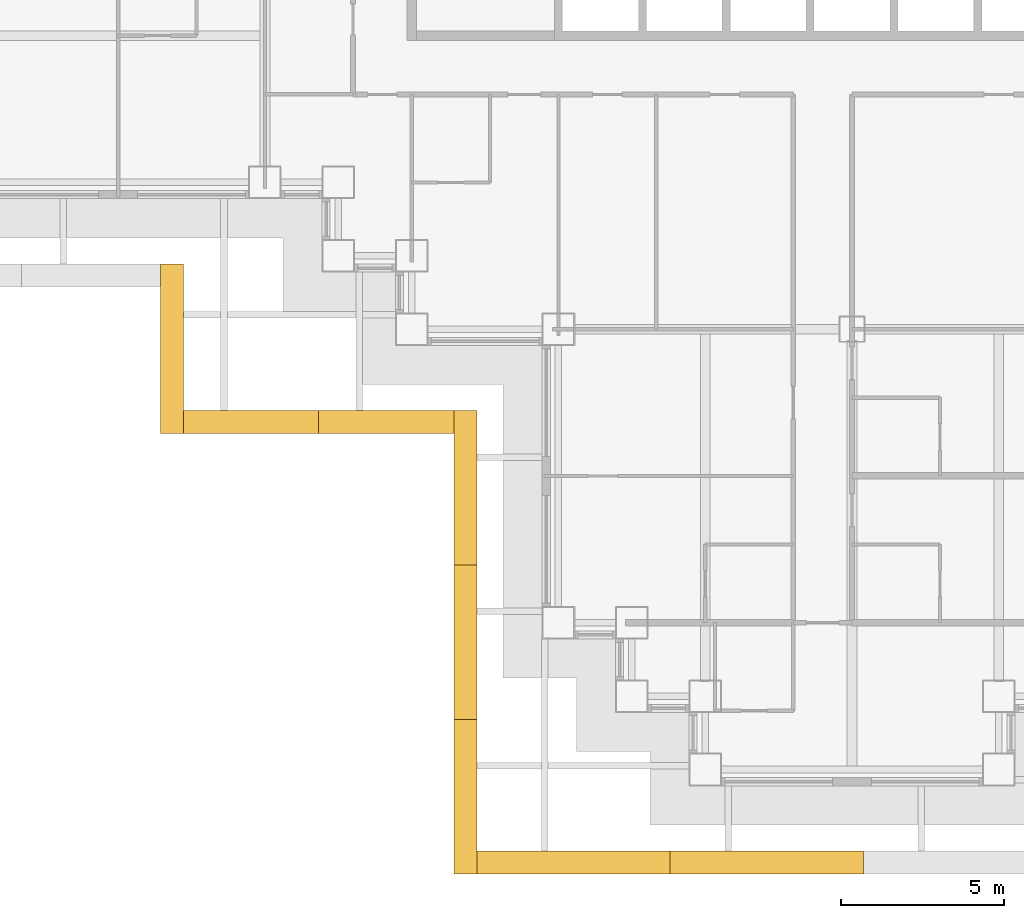
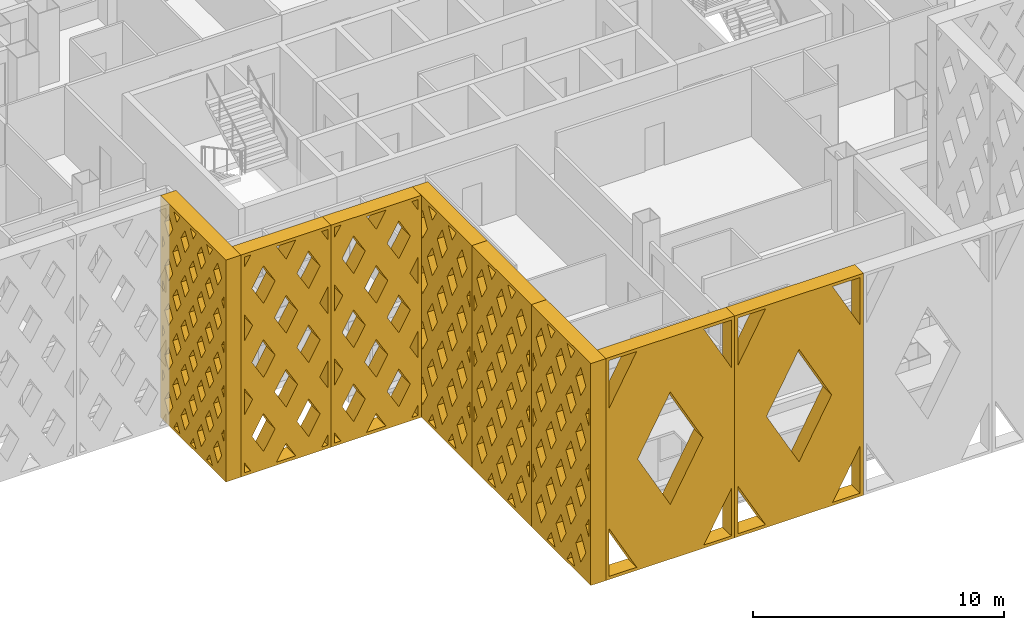
# One storey, part 13 of 19: 8 shading devices.
"""IFC4 building model written with IfcOpenShell, lengths in metres."""

from ifc_helpers import new_model, si_unit, direction, frame, origin, place, context, subcontext, project, spatial, polyline, outline, extrude, material, type_object, element, save


model = new_model("IFC4")

# Units and contexts
model_context = context("Model", 3, precision=1e-05, world=origin(), true_north=direction((0.0, 1.0)))
body_context = subcontext(model_context, "Body", "Model", "MODEL_VIEW")
ifc_project = project(units=[si_unit("LENGTHUNIT", "METRE"), si_unit("AREAUNIT", "SQUARE_METRE"), si_unit("VOLUMEUNIT", "CUBIC_METRE"), si_unit("PLANEANGLEUNIT", "RADIAN"), si_unit("MASSUNIT", "GRAM", prefix="KILO")], contexts=[model_context])

# Site, building, storey
site_placement = place(None, origin())
site = spatial("IfcSite", under=ifc_project, at=site_placement, CompositionType="ELEMENT")
building_placement = place(site_placement, origin())
building = spatial("IfcBuilding", under=site, at=building_placement, Name="Caravel Reach Hotel and Residences", CompositionType="ELEMENT")
storey_placement = place(building_placement, frame((0.0, 0.0, 63.60009765625)))
storey = spatial("IfcBuildingStorey", under=building, at=storey_placement, Name="L14", CompositionType="ELEMENT", Elevation=63.60009765625)

# Shading devices
ifc_material_1 = material(Name="Black powder-coated aluminium", Category="aluminium")
shading_device_type_1 = type_object("IfcShadingDeviceType", Name="Diamond lattice screen panel 4150 x 10800", PredefinedType="USERDEFINED", material=ifc_material_1)
shading_device_1_placement = place(storey_placement, frame((11.0, 11.0, 0.0), z_axis=(0.0, -1.0, 0.0), x_axis=(1.0, 0.0, 0.0)))
element("IfcShadingDevice", 1, at=shading_device_1_placement, inside=storey, type_object=shading_device_type_1, Name="Lattice screen L14-L16 20.1", ObjectType="SCREEN", PredefinedType="USERDEFINED", context=body_context, shape_type="SweptSolid", body=[
    extrude(outline(polyline([(0.0, 0.0), (4.14990234375, 0.0), (4.14990234375, 10.800048828125), (0.0, 10.800048828125), (0.0, 0.0)]), holes=[polyline([(0.445556640625, 0.14990234375), (0.14990234375, 0.662841796875), (0.14990234375, 0.14990234375), (0.445556640625, 0.14990234375)]), polyline([(0.531982421875, 3.60009765625), (0.14990234375, 4.2626953125), (0.14990234375, 2.937255859375), (0.531982421875, 3.60009765625)]), polyline([(0.531982421875, 7.199951171875), (0.14990234375, 7.86279296875), (0.14990234375, 6.537353515625), (0.531982421875, 7.199951171875)]), polyline([(0.14990234375, 10.13720703125), (0.445556640625, 10.64990234375), (0.14990234375, 10.64990234375), (0.14990234375, 10.13720703125)]), polyline([(1.03759765625, 2.722900390625), (0.505615234375, 1.800048828125), (1.03759765625, 0.876953125), (1.569580078125, 1.800048828125), (1.03759765625, 2.722900390625)]), polyline([(1.03759765625, 6.322998046875), (0.505615234375, 5.39990234375), (1.03759765625, 4.47705078125), (1.569580078125, 5.39990234375), (1.03759765625, 6.322998046875)]), polyline([(1.03759765625, 9.9228515625), (0.505615234375, 9.0), (1.03759765625, 8.0771484375), (1.569580078125, 9.0), (1.03759765625, 9.9228515625)]), polyline([(2.074951171875, 0.9228515625), (1.62939453125, 0.14990234375), (2.5205078125, 0.14990234375), (2.074951171875, 0.9228515625)]), polyline([(2.074951171875, 4.52294921875), (1.54296875, 3.60009765625), (2.074951171875, 2.677001953125), (2.60693359375, 3.60009765625), (2.074951171875, 4.52294921875)]), polyline([(2.074951171875, 8.123046875), (1.54296875, 7.199951171875), (2.074951171875, 6.277099609375), (2.60693359375, 7.199951171875), (2.074951171875, 8.123046875)]), polyline([(2.074951171875, 9.876953125), (2.5205078125, 10.64990234375), (1.62939453125, 10.64990234375), (2.074951171875, 9.876953125)]), polyline([(3.112548828125, 2.722900390625), (2.58056640625, 1.800048828125), (3.112548828125, 0.876953125), (3.64453125, 1.800048828125), (3.112548828125, 2.722900390625)]), polyline([(3.112548828125, 6.322998046875), (2.58056640625, 5.39990234375), (3.112548828125, 4.47705078125), (3.64453125, 5.39990234375), (3.112548828125, 6.322998046875)]), polyline([(3.112548828125, 9.9228515625), (2.58056640625, 9.0), (3.112548828125, 8.0771484375), (3.64453125, 9.0), (3.112548828125, 9.9228515625)]), polyline([(4.0, 0.662841796875), (3.70458984375, 0.14990234375), (4.0, 0.14990234375), (4.0, 0.662841796875)]), polyline([(3.617919921875, 3.60009765625), (4.0, 2.937255859375), (4.0, 4.2626953125), (3.617919921875, 3.60009765625)]), polyline([(3.617919921875, 7.199951171875), (4.0, 6.537353515625), (4.0, 7.86279296875), (3.617919921875, 7.199951171875)]), polyline([(3.70458984375, 10.64990234375), (4.0, 10.13720703125), (4.0, 10.64990234375), (3.70458984375, 10.64990234375)])]), origin(), (0.0, 0.0, 1.0), 0.699951171875),
])
shading_device_2_placement = place(storey_placement, frame((15.14990234375, 11.0, 0.0), z_axis=(0.0, -1.0, 0.0), x_axis=(1.0, 0.0, 0.0)))
element("IfcShadingDevice", 2, at=shading_device_2_placement, inside=storey, type_object=shading_device_type_1, Name="Lattice screen L14-L16 20.2", ObjectType="SCREEN", PredefinedType="USERDEFINED", context=body_context, shape_type="SweptSolid", body=[
    extrude(outline(polyline([(0.0, 0.0), (4.14990234375, 0.0), (4.14990234375, 10.800048828125), (0.0, 10.800048828125), (0.0, 0.0)]), holes=[polyline([(0.445556640625, 0.14990234375), (0.14990234375, 0.662841796875), (0.14990234375, 0.14990234375), (0.445556640625, 0.14990234375)]), polyline([(0.531982421875, 3.60009765625), (0.14990234375, 4.2626953125), (0.14990234375, 2.937255859375), (0.531982421875, 3.60009765625)]), polyline([(0.531982421875, 7.199951171875), (0.14990234375, 7.86279296875), (0.14990234375, 6.537353515625), (0.531982421875, 7.199951171875)]), polyline([(0.14990234375, 10.13720703125), (0.445556640625, 10.64990234375), (0.14990234375, 10.64990234375), (0.14990234375, 10.13720703125)]), polyline([(1.03759765625, 2.722900390625), (0.505615234375, 1.800048828125), (1.03759765625, 0.876953125), (1.569580078125, 1.800048828125), (1.03759765625, 2.722900390625)]), polyline([(1.03759765625, 6.322998046875), (0.505615234375, 5.39990234375), (1.03759765625, 4.47705078125), (1.569580078125, 5.39990234375), (1.03759765625, 6.322998046875)]), polyline([(1.03759765625, 9.9228515625), (0.505615234375, 9.0), (1.03759765625, 8.0771484375), (1.569580078125, 9.0), (1.03759765625, 9.9228515625)]), polyline([(2.074951171875, 0.9228515625), (1.62939453125, 0.14990234375), (2.5205078125, 0.14990234375), (2.074951171875, 0.9228515625)]), polyline([(2.074951171875, 4.52294921875), (1.54296875, 3.60009765625), (2.074951171875, 2.677001953125), (2.60693359375, 3.60009765625), (2.074951171875, 4.52294921875)]), polyline([(2.074951171875, 8.123046875), (1.54296875, 7.199951171875), (2.074951171875, 6.277099609375), (2.60693359375, 7.199951171875), (2.074951171875, 8.123046875)]), polyline([(2.074951171875, 9.876953125), (2.5205078125, 10.64990234375), (1.62939453125, 10.64990234375), (2.074951171875, 9.876953125)]), polyline([(3.112548828125, 2.722900390625), (2.58056640625, 1.800048828125), (3.112548828125, 0.876953125), (3.64453125, 1.800048828125), (3.112548828125, 2.722900390625)]), polyline([(3.112548828125, 6.322998046875), (2.58056640625, 5.39990234375), (3.112548828125, 4.47705078125), (3.64453125, 5.39990234375), (3.112548828125, 6.322998046875)]), polyline([(3.112548828125, 9.9228515625), (2.58056640625, 9.0), (3.112548828125, 8.0771484375), (3.64453125, 9.0), (3.112548828125, 9.9228515625)]), polyline([(4.0, 0.662841796875), (3.70458984375, 0.14990234375), (4.0, 0.14990234375), (4.0, 0.662841796875)]), polyline([(3.617919921875, 3.60009765625), (4.0, 2.937255859375), (4.0, 4.2626953125), (3.617919921875, 3.60009765625)]), polyline([(3.617919921875, 7.199951171875), (4.0, 6.537353515625), (4.0, 7.86279296875), (3.617919921875, 7.199951171875)]), polyline([(3.70458984375, 10.64990234375), (4.0, 10.13720703125), (4.0, 10.64990234375), (3.70458984375, 10.64990234375)])]), origin(), (0.0, 0.0, 1.0), 0.699951171875),
])
ifc_material_2 = material(Name="Black powder-coated aluminium", Category="aluminium")
shading_device_type_2 = type_object("IfcShadingDeviceType", Name="Diamond lattice screen panel 4733 x 10800", PredefinedType="USERDEFINED", material=ifc_material_2)
shading_device_3_placement = place(storey_placement, frame((20.0, 11.0, 0.0), z_axis=(-1.0, 0.0, 0.0), x_axis=(0.0, -1.0, 0.0)))
element("IfcShadingDevice", 3, at=shading_device_3_placement, inside=storey, type_object=shading_device_type_2, Name="Lattice screen L14-L16 1.1", ObjectType="SCREEN", PredefinedType="USERDEFINED", context=body_context, shape_type="SweptSolid", body=[
    extrude(outline(polyline([(0.0, 0.0), (4.7333984375, 0.0), (4.7333984375, 10.800048828125), (0.0, 10.800048828125), (0.0, 0.0)]), holes=[polyline([(0.4013671875, 2.699951171875), (0.14990234375, 3.130126953125), (0.14990234375, 2.269775390625), (0.4013671875, 2.699951171875)]), polyline([(0.4013671875, 5.39990234375), (0.14990234375, 5.830078125), (0.14990234375, 4.969970703125), (0.4013671875, 5.39990234375)]), polyline([(0.4013671875, 8.10009765625), (0.14990234375, 8.530029296875), (0.14990234375, 7.669921875), (0.4013671875, 8.10009765625)]), polyline([(0.788818359375, 2.036865234375), (0.387451171875, 1.35009765625), (0.788818359375, 0.6630859375), (1.190185546875, 1.35009765625), (0.788818359375, 2.036865234375)]), polyline([(0.788818359375, 4.73681640625), (0.387451171875, 4.050048828125), (0.788818359375, 3.36328125), (1.190185546875, 4.050048828125), (0.788818359375, 4.73681640625)]), polyline([(0.788818359375, 7.436767578125), (0.387451171875, 6.75), (0.788818359375, 6.063232421875), (1.190185546875, 6.75), (0.788818359375, 7.436767578125)]), polyline([(0.788818359375, 10.13671875), (0.387451171875, 9.449951171875), (0.788818359375, 8.76318359375), (1.190185546875, 9.449951171875), (0.788818359375, 10.13671875)]), polyline([(1.577880859375, 0.686767578125), (1.26416015625, 0.14990234375), (1.8916015625, 0.14990234375), (1.577880859375, 0.686767578125)]), polyline([(1.577880859375, 3.38671875), (1.176513671875, 2.699951171875), (1.577880859375, 2.01318359375), (1.979248046875, 2.699951171875), (1.577880859375, 3.38671875)]), polyline([(1.577880859375, 6.0869140625), (1.176513671875, 5.39990234375), (1.577880859375, 4.713134765625), (1.979248046875, 5.39990234375), (1.577880859375, 6.0869140625)]), polyline([(1.577880859375, 8.786865234375), (1.176513671875, 8.10009765625), (1.577880859375, 7.4130859375), (1.979248046875, 8.10009765625), (1.577880859375, 8.786865234375)]), polyline([(1.577880859375, 10.11328125), (1.8916015625, 10.64990234375), (1.26416015625, 10.64990234375), (1.577880859375, 10.11328125)]), polyline([(2.36669921875, 2.036865234375), (1.96533203125, 1.35009765625), (2.36669921875, 0.6630859375), (2.76806640625, 1.35009765625), (2.36669921875, 2.036865234375)]), polyline([(2.36669921875, 4.73681640625), (1.96533203125, 4.050048828125), (2.36669921875, 3.36328125), (2.76806640625, 4.050048828125), (2.36669921875, 4.73681640625)]), polyline([(2.36669921875, 7.436767578125), (1.96533203125, 6.75), (2.36669921875, 6.063232421875), (2.76806640625, 6.75), (2.36669921875, 7.436767578125)]), polyline([(2.36669921875, 10.13671875), (1.96533203125, 9.449951171875), (2.36669921875, 8.76318359375), (2.76806640625, 9.449951171875), (2.36669921875, 10.13671875)]), polyline([(3.155517578125, 0.686767578125), (2.841796875, 0.14990234375), (3.46923828125, 0.14990234375), (3.155517578125, 0.686767578125)]), polyline([(3.155517578125, 3.38671875), (2.754150390625, 2.699951171875), (3.155517578125, 2.01318359375), (3.556884765625, 2.699951171875), (3.155517578125, 3.38671875)]), polyline([(3.155517578125, 6.0869140625), (2.754150390625, 5.39990234375), (3.155517578125, 4.713134765625), (3.556884765625, 5.39990234375), (3.155517578125, 6.0869140625)]), polyline([(3.155517578125, 8.786865234375), (2.754150390625, 8.10009765625), (3.155517578125, 7.4130859375), (3.556884765625, 8.10009765625), (3.155517578125, 8.786865234375)]), polyline([(3.155517578125, 10.11328125), (3.46923828125, 10.64990234375), (2.841796875, 10.64990234375), (3.155517578125, 10.11328125)]), polyline([(3.9443359375, 2.036865234375), (3.54296875, 1.35009765625), (3.9443359375, 0.6630859375), (4.345703125, 1.35009765625), (3.9443359375, 2.036865234375)]), polyline([(3.9443359375, 4.73681640625), (3.54296875, 4.050048828125), (3.9443359375, 3.36328125), (4.345703125, 4.050048828125), (3.9443359375, 4.73681640625)]), polyline([(3.9443359375, 7.436767578125), (3.54296875, 6.75), (3.9443359375, 6.063232421875), (4.345703125, 6.75), (3.9443359375, 7.436767578125)]), polyline([(3.9443359375, 10.13671875), (3.54296875, 9.449951171875), (3.9443359375, 8.76318359375), (4.345703125, 9.449951171875), (3.9443359375, 10.13671875)]), polyline([(4.33203125, 2.699951171875), (4.583251953125, 2.269775390625), (4.583251953125, 3.130126953125), (4.33203125, 2.699951171875)]), polyline([(4.33203125, 5.39990234375), (4.583251953125, 4.969970703125), (4.583251953125, 5.830078125), (4.33203125, 5.39990234375)]), polyline([(4.33203125, 8.10009765625), (4.583251953125, 7.669921875), (4.583251953125, 8.530029296875), (4.33203125, 8.10009765625)])]), origin(), (0.0, 0.0, 1.0), 0.699951171875),
])
shading_device_4_placement = place(storey_placement, frame((20.0, 6.2666015625, 0.0), z_axis=(-1.0, 0.0, 0.0), x_axis=(0.0, -1.0, 0.0)))
element("IfcShadingDevice", 4, at=shading_device_4_placement, inside=storey, type_object=shading_device_type_2, Name="Lattice screen L14-L16 1.2", ObjectType="SCREEN", PredefinedType="USERDEFINED", context=body_context, shape_type="SweptSolid", body=[
    extrude(outline(polyline([(0.0, 0.0), (4.7333984375, 0.0), (4.7333984375, 10.800048828125), (0.0, 10.800048828125), (0.0, 0.0)]), holes=[polyline([(0.4013671875, 2.699951171875), (0.14990234375, 3.130126953125), (0.14990234375, 2.269775390625), (0.4013671875, 2.699951171875)]), polyline([(0.4013671875, 5.39990234375), (0.14990234375, 5.830078125), (0.14990234375, 4.969970703125), (0.4013671875, 5.39990234375)]), polyline([(0.4013671875, 8.10009765625), (0.14990234375, 8.530029296875), (0.14990234375, 7.669921875), (0.4013671875, 8.10009765625)]), polyline([(0.788818359375, 2.036865234375), (0.387451171875, 1.35009765625), (0.788818359375, 0.6630859375), (1.190185546875, 1.35009765625), (0.788818359375, 2.036865234375)]), polyline([(0.788818359375, 4.73681640625), (0.387451171875, 4.050048828125), (0.788818359375, 3.36328125), (1.190185546875, 4.050048828125), (0.788818359375, 4.73681640625)]), polyline([(0.788818359375, 7.436767578125), (0.387451171875, 6.75), (0.788818359375, 6.063232421875), (1.190185546875, 6.75), (0.788818359375, 7.436767578125)]), polyline([(0.788818359375, 10.13671875), (0.387451171875, 9.449951171875), (0.788818359375, 8.76318359375), (1.190185546875, 9.449951171875), (0.788818359375, 10.13671875)]), polyline([(1.577880859375, 0.686767578125), (1.26416015625, 0.14990234375), (1.8916015625, 0.14990234375), (1.577880859375, 0.686767578125)]), polyline([(1.577880859375, 3.38671875), (1.176513671875, 2.699951171875), (1.577880859375, 2.01318359375), (1.979248046875, 2.699951171875), (1.577880859375, 3.38671875)]), polyline([(1.577880859375, 6.0869140625), (1.176513671875, 5.39990234375), (1.577880859375, 4.713134765625), (1.979248046875, 5.39990234375), (1.577880859375, 6.0869140625)]), polyline([(1.577880859375, 8.786865234375), (1.176513671875, 8.10009765625), (1.577880859375, 7.4130859375), (1.979248046875, 8.10009765625), (1.577880859375, 8.786865234375)]), polyline([(1.577880859375, 10.11328125), (1.8916015625, 10.64990234375), (1.26416015625, 10.64990234375), (1.577880859375, 10.11328125)]), polyline([(2.36669921875, 2.036865234375), (1.96533203125, 1.35009765625), (2.36669921875, 0.6630859375), (2.76806640625, 1.35009765625), (2.36669921875, 2.036865234375)]), polyline([(2.36669921875, 4.73681640625), (1.96533203125, 4.050048828125), (2.36669921875, 3.36328125), (2.76806640625, 4.050048828125), (2.36669921875, 4.73681640625)]), polyline([(2.36669921875, 7.436767578125), (1.96533203125, 6.75), (2.36669921875, 6.063232421875), (2.76806640625, 6.75), (2.36669921875, 7.436767578125)]), polyline([(2.36669921875, 10.13671875), (1.96533203125, 9.449951171875), (2.36669921875, 8.76318359375), (2.76806640625, 9.449951171875), (2.36669921875, 10.13671875)]), polyline([(3.155517578125, 0.686767578125), (2.841796875, 0.14990234375), (3.46923828125, 0.14990234375), (3.155517578125, 0.686767578125)]), polyline([(3.155517578125, 3.38671875), (2.754150390625, 2.699951171875), (3.155517578125, 2.01318359375), (3.556884765625, 2.699951171875), (3.155517578125, 3.38671875)]), polyline([(3.155517578125, 6.0869140625), (2.754150390625, 5.39990234375), (3.155517578125, 4.713134765625), (3.556884765625, 5.39990234375), (3.155517578125, 6.0869140625)]), polyline([(3.155517578125, 8.786865234375), (2.754150390625, 8.10009765625), (3.155517578125, 7.4130859375), (3.556884765625, 8.10009765625), (3.155517578125, 8.786865234375)]), polyline([(3.155517578125, 10.11328125), (3.46923828125, 10.64990234375), (2.841796875, 10.64990234375), (3.155517578125, 10.11328125)]), polyline([(3.9443359375, 2.036865234375), (3.54296875, 1.35009765625), (3.9443359375, 0.6630859375), (4.345703125, 1.35009765625), (3.9443359375, 2.036865234375)]), polyline([(3.9443359375, 4.73681640625), (3.54296875, 4.050048828125), (3.9443359375, 3.36328125), (4.345703125, 4.050048828125), (3.9443359375, 4.73681640625)]), polyline([(3.9443359375, 7.436767578125), (3.54296875, 6.75), (3.9443359375, 6.063232421875), (4.345703125, 6.75), (3.9443359375, 7.436767578125)]), polyline([(3.9443359375, 10.13671875), (3.54296875, 9.449951171875), (3.9443359375, 8.76318359375), (4.345703125, 9.449951171875), (3.9443359375, 10.13671875)]), polyline([(4.33203125, 2.699951171875), (4.583251953125, 2.269775390625), (4.583251953125, 3.130126953125), (4.33203125, 2.699951171875)]), polyline([(4.33203125, 5.39990234375), (4.583251953125, 4.969970703125), (4.583251953125, 5.830078125), (4.33203125, 5.39990234375)]), polyline([(4.33203125, 8.10009765625), (4.583251953125, 7.669921875), (4.583251953125, 8.530029296875), (4.33203125, 8.10009765625)])]), origin(), (0.0, 0.0, 1.0), 0.699951171875),
])
shading_device_5_placement = place(storey_placement, frame((20.0, 1.533447265625, 0.0), z_axis=(-1.0, 0.0, 0.0), x_axis=(0.0, -1.0, 0.0)))
element("IfcShadingDevice", 5, at=shading_device_5_placement, inside=storey, type_object=shading_device_type_2, Name="Lattice screen L14-L16 1.3", ObjectType="SCREEN", PredefinedType="USERDEFINED", context=body_context, shape_type="SweptSolid", body=[
    extrude(outline(polyline([(0.0, 0.0), (4.7333984375, 0.0), (4.7333984375, 10.800048828125), (0.0, 10.800048828125), (0.0, 0.0)]), holes=[polyline([(0.4013671875, 2.699951171875), (0.14990234375, 3.130126953125), (0.14990234375, 2.269775390625), (0.4013671875, 2.699951171875)]), polyline([(0.4013671875, 5.39990234375), (0.14990234375, 5.830078125), (0.14990234375, 4.969970703125), (0.4013671875, 5.39990234375)]), polyline([(0.4013671875, 8.10009765625), (0.14990234375, 8.530029296875), (0.14990234375, 7.669921875), (0.4013671875, 8.10009765625)]), polyline([(0.788818359375, 2.036865234375), (0.387451171875, 1.35009765625), (0.788818359375, 0.6630859375), (1.190185546875, 1.35009765625), (0.788818359375, 2.036865234375)]), polyline([(0.788818359375, 4.73681640625), (0.387451171875, 4.050048828125), (0.788818359375, 3.36328125), (1.190185546875, 4.050048828125), (0.788818359375, 4.73681640625)]), polyline([(0.788818359375, 7.436767578125), (0.387451171875, 6.75), (0.788818359375, 6.063232421875), (1.190185546875, 6.75), (0.788818359375, 7.436767578125)]), polyline([(0.788818359375, 10.13671875), (0.387451171875, 9.449951171875), (0.788818359375, 8.76318359375), (1.190185546875, 9.449951171875), (0.788818359375, 10.13671875)]), polyline([(1.577880859375, 0.686767578125), (1.26416015625, 0.14990234375), (1.8916015625, 0.14990234375), (1.577880859375, 0.686767578125)]), polyline([(1.577880859375, 3.38671875), (1.176513671875, 2.699951171875), (1.577880859375, 2.01318359375), (1.979248046875, 2.699951171875), (1.577880859375, 3.38671875)]), polyline([(1.577880859375, 6.0869140625), (1.176513671875, 5.39990234375), (1.577880859375, 4.713134765625), (1.979248046875, 5.39990234375), (1.577880859375, 6.0869140625)]), polyline([(1.577880859375, 8.786865234375), (1.176513671875, 8.10009765625), (1.577880859375, 7.4130859375), (1.979248046875, 8.10009765625), (1.577880859375, 8.786865234375)]), polyline([(1.577880859375, 10.11328125), (1.8916015625, 10.64990234375), (1.26416015625, 10.64990234375), (1.577880859375, 10.11328125)]), polyline([(2.36669921875, 2.036865234375), (1.96533203125, 1.35009765625), (2.36669921875, 0.6630859375), (2.76806640625, 1.35009765625), (2.36669921875, 2.036865234375)]), polyline([(2.36669921875, 4.73681640625), (1.96533203125, 4.050048828125), (2.36669921875, 3.36328125), (2.76806640625, 4.050048828125), (2.36669921875, 4.73681640625)]), polyline([(2.36669921875, 7.436767578125), (1.96533203125, 6.75), (2.36669921875, 6.063232421875), (2.76806640625, 6.75), (2.36669921875, 7.436767578125)]), polyline([(2.36669921875, 10.13671875), (1.96533203125, 9.449951171875), (2.36669921875, 8.76318359375), (2.76806640625, 9.449951171875), (2.36669921875, 10.13671875)]), polyline([(3.155517578125, 0.686767578125), (2.841796875, 0.14990234375), (3.46923828125, 0.14990234375), (3.155517578125, 0.686767578125)]), polyline([(3.155517578125, 3.38671875), (2.754150390625, 2.699951171875), (3.155517578125, 2.01318359375), (3.556884765625, 2.699951171875), (3.155517578125, 3.38671875)]), polyline([(3.155517578125, 6.0869140625), (2.754150390625, 5.39990234375), (3.155517578125, 4.713134765625), (3.556884765625, 5.39990234375), (3.155517578125, 6.0869140625)]), polyline([(3.155517578125, 8.786865234375), (2.754150390625, 8.10009765625), (3.155517578125, 7.4130859375), (3.556884765625, 8.10009765625), (3.155517578125, 8.786865234375)]), polyline([(3.155517578125, 10.11328125), (3.46923828125, 10.64990234375), (2.841796875, 10.64990234375), (3.155517578125, 10.11328125)]), polyline([(3.9443359375, 2.036865234375), (3.54296875, 1.35009765625), (3.9443359375, 0.6630859375), (4.345703125, 1.35009765625), (3.9443359375, 2.036865234375)]), polyline([(3.9443359375, 4.73681640625), (3.54296875, 4.050048828125), (3.9443359375, 3.36328125), (4.345703125, 4.050048828125), (3.9443359375, 4.73681640625)]), polyline([(3.9443359375, 7.436767578125), (3.54296875, 6.75), (3.9443359375, 6.063232421875), (4.345703125, 6.75), (3.9443359375, 7.436767578125)]), polyline([(3.9443359375, 10.13671875), (3.54296875, 9.449951171875), (3.9443359375, 8.76318359375), (4.345703125, 9.449951171875), (3.9443359375, 10.13671875)]), polyline([(4.33203125, 2.699951171875), (4.583251953125, 2.269775390625), (4.583251953125, 3.130126953125), (4.33203125, 2.699951171875)]), polyline([(4.33203125, 5.39990234375), (4.583251953125, 4.969970703125), (4.583251953125, 5.830078125), (4.33203125, 5.39990234375)]), polyline([(4.33203125, 8.10009765625), (4.583251953125, 7.669921875), (4.583251953125, 8.530029296875), (4.33203125, 8.10009765625)])]), origin(), (0.0, 0.0, 1.0), 0.699951171875),
])
ifc_material_3 = material(Name="Black powder-coated aluminium", Category="aluminium")
shading_device_type_3 = type_object("IfcShadingDeviceType", Name="Diamond lattice screen panel 5200 x 10800", PredefinedType="USERDEFINED", material=ifc_material_3)
shading_device_6_placement = place(storey_placement, frame((11.0, 15.5, 0.0), z_axis=(-1.0, 0.0, 0.0), x_axis=(0.0, -1.0, 0.0)))
element("IfcShadingDevice", 6, at=shading_device_6_placement, inside=storey, type_object=shading_device_type_3, Name="Lattice screen L14-L16 19.1", ObjectType="SCREEN", PredefinedType="USERDEFINED", context=body_context, shape_type="SweptSolid", body=[
    extrude(outline(polyline([(0.0, 0.0), (5.199951171875, 0.0), (5.199951171875, 10.800048828125), (0.0, 10.800048828125), (0.0, 0.0)]), holes=[polyline([(0.3271484375, 2.159912109375), (0.14990234375, 2.454345703125), (0.14990234375, 1.86572265625), (0.3271484375, 2.159912109375)]), polyline([(0.3271484375, 4.320068359375), (0.14990234375, 4.6142578125), (0.14990234375, 4.025634765625), (0.3271484375, 4.320068359375)]), polyline([(0.3271484375, 6.47998046875), (0.14990234375, 6.774169921875), (0.14990234375, 6.185791015625), (0.3271484375, 6.47998046875)]), polyline([(0.3271484375, 8.639892578125), (0.14990234375, 8.934326171875), (0.14990234375, 8.345703125), (0.3271484375, 8.639892578125)]), polyline([(0.64990234375, 1.62353515625), (0.322998046875, 1.080078125), (0.64990234375, 0.536376953125), (0.97705078125, 1.080078125), (0.64990234375, 1.62353515625)]), polyline([(0.64990234375, 3.783447265625), (0.322998046875, 3.239990234375), (0.64990234375, 2.696533203125), (0.97705078125, 3.239990234375), (0.64990234375, 3.783447265625)]), polyline([(0.64990234375, 5.943603515625), (0.322998046875, 5.39990234375), (0.64990234375, 4.8564453125), (0.97705078125, 5.39990234375), (0.64990234375, 5.943603515625)]), polyline([(0.64990234375, 8.103515625), (0.322998046875, 7.56005859375), (0.64990234375, 7.016357421875), (0.97705078125, 7.56005859375), (0.64990234375, 8.103515625)]), polyline([(0.64990234375, 10.263427734375), (0.322998046875, 9.719970703125), (0.64990234375, 9.176513671875), (0.97705078125, 9.719970703125), (0.64990234375, 10.263427734375)]), polyline([(1.300048828125, 0.54345703125), (1.063232421875, 0.14990234375), (1.536865234375, 0.14990234375), (1.300048828125, 0.54345703125)]), polyline([(1.300048828125, 2.70361328125), (0.972900390625, 2.159912109375), (1.300048828125, 1.616455078125), (1.627197265625, 2.159912109375), (1.300048828125, 2.70361328125)]), polyline([(1.300048828125, 4.863525390625), (0.972900390625, 4.320068359375), (1.300048828125, 3.7763671875), (1.627197265625, 4.320068359375), (1.300048828125, 4.863525390625)]), polyline([(1.300048828125, 7.0234375), (0.972900390625, 6.47998046875), (1.300048828125, 5.9365234375), (1.627197265625, 6.47998046875), (1.300048828125, 7.0234375)]), polyline([(1.300048828125, 9.18359375), (0.972900390625, 8.639892578125), (1.300048828125, 8.096435546875), (1.627197265625, 8.639892578125), (1.300048828125, 9.18359375)]), polyline([(1.300048828125, 10.256591796875), (1.536865234375, 10.64990234375), (1.063232421875, 10.64990234375), (1.300048828125, 10.256591796875)]), polyline([(1.949951171875, 1.62353515625), (1.622802734375, 1.080078125), (1.949951171875, 0.536376953125), (2.277099609375, 1.080078125), (1.949951171875, 1.62353515625)]), polyline([(1.949951171875, 3.783447265625), (1.622802734375, 3.239990234375), (1.949951171875, 2.696533203125), (2.277099609375, 3.239990234375), (1.949951171875, 3.783447265625)]), polyline([(1.949951171875, 5.943603515625), (1.622802734375, 5.39990234375), (1.949951171875, 4.8564453125), (2.277099609375, 5.39990234375), (1.949951171875, 5.943603515625)]), polyline([(1.949951171875, 8.103515625), (1.622802734375, 7.56005859375), (1.949951171875, 7.016357421875), (2.277099609375, 7.56005859375), (1.949951171875, 8.103515625)]), polyline([(1.949951171875, 10.263427734375), (1.622802734375, 9.719970703125), (1.949951171875, 9.176513671875), (2.277099609375, 9.719970703125), (1.949951171875, 10.263427734375)]), polyline([(2.60009765625, 0.54345703125), (2.363037109375, 0.14990234375), (2.8369140625, 0.14990234375), (2.60009765625, 0.54345703125)]), polyline([(2.60009765625, 2.70361328125), (2.27294921875, 2.159912109375), (2.60009765625, 1.616455078125), (2.927001953125, 2.159912109375), (2.60009765625, 2.70361328125)]), polyline([(2.60009765625, 4.863525390625), (2.27294921875, 4.320068359375), (2.60009765625, 3.7763671875), (2.927001953125, 4.320068359375), (2.60009765625, 4.863525390625)]), polyline([(2.60009765625, 7.0234375), (2.27294921875, 6.47998046875), (2.60009765625, 5.9365234375), (2.927001953125, 6.47998046875), (2.60009765625, 7.0234375)]), polyline([(2.60009765625, 9.18359375), (2.27294921875, 8.639892578125), (2.60009765625, 8.096435546875), (2.927001953125, 8.639892578125), (2.60009765625, 9.18359375)]), polyline([(2.60009765625, 10.256591796875), (2.8369140625, 10.64990234375), (2.363037109375, 10.64990234375), (2.60009765625, 10.256591796875)]), polyline([(3.25, 1.62353515625), (2.9228515625, 1.080078125), (3.25, 0.536376953125), (3.5771484375, 1.080078125), (3.25, 1.62353515625)]), polyline([(3.25, 3.783447265625), (2.9228515625, 3.239990234375), (3.25, 2.696533203125), (3.5771484375, 3.239990234375), (3.25, 3.783447265625)]), polyline([(3.25, 5.943603515625), (2.9228515625, 5.39990234375), (3.25, 4.8564453125), (3.5771484375, 5.39990234375), (3.25, 5.943603515625)]), polyline([(3.25, 8.103515625), (2.9228515625, 7.56005859375), (3.25, 7.016357421875), (3.5771484375, 7.56005859375), (3.25, 8.103515625)]), polyline([(3.25, 10.263427734375), (2.9228515625, 9.719970703125), (3.25, 9.176513671875), (3.5771484375, 9.719970703125), (3.25, 10.263427734375)]), polyline([(3.89990234375, 0.54345703125), (3.6630859375, 0.14990234375), (4.136962890625, 0.14990234375), (3.89990234375, 0.54345703125)]), polyline([(3.89990234375, 2.70361328125), (3.572998046875, 2.159912109375), (3.89990234375, 1.616455078125), (4.22705078125, 2.159912109375), (3.89990234375, 2.70361328125)]), polyline([(3.89990234375, 4.863525390625), (3.572998046875, 4.320068359375), (3.89990234375, 3.7763671875), (4.22705078125, 4.320068359375), (3.89990234375, 4.863525390625)]), polyline([(3.89990234375, 7.0234375), (3.572998046875, 6.47998046875), (3.89990234375, 5.9365234375), (4.22705078125, 6.47998046875), (3.89990234375, 7.0234375)]), polyline([(3.89990234375, 9.18359375), (3.572998046875, 8.639892578125), (3.89990234375, 8.096435546875), (4.22705078125, 8.639892578125), (3.89990234375, 9.18359375)]), polyline([(3.89990234375, 10.256591796875), (4.136962890625, 10.64990234375), (3.6630859375, 10.64990234375), (3.89990234375, 10.256591796875)]), polyline([(4.550048828125, 1.62353515625), (4.222900390625, 1.080078125), (4.550048828125, 0.536376953125), (4.877197265625, 1.080078125), (4.550048828125, 1.62353515625)]), polyline([(4.550048828125, 3.783447265625), (4.222900390625, 3.239990234375), (4.550048828125, 2.696533203125), (4.877197265625, 3.239990234375), (4.550048828125, 3.783447265625)]), polyline([(4.550048828125, 5.943603515625), (4.222900390625, 5.39990234375), (4.550048828125, 4.8564453125), (4.877197265625, 5.39990234375), (4.550048828125, 5.943603515625)]), polyline([(4.550048828125, 8.103515625), (4.222900390625, 7.56005859375), (4.550048828125, 7.016357421875), (4.877197265625, 7.56005859375), (4.550048828125, 8.103515625)]), polyline([(4.550048828125, 10.263427734375), (4.222900390625, 9.719970703125), (4.550048828125, 9.176513671875), (4.877197265625, 9.719970703125), (4.550048828125, 10.263427734375)]), polyline([(4.872802734375, 2.159912109375), (5.050048828125, 1.86572265625), (5.050048828125, 2.454345703125), (4.872802734375, 2.159912109375)]), polyline([(4.872802734375, 4.320068359375), (5.050048828125, 4.025634765625), (5.050048828125, 4.6142578125), (4.872802734375, 4.320068359375)]), polyline([(4.872802734375, 6.47998046875), (5.050048828125, 6.185791015625), (5.050048828125, 6.774169921875), (4.872802734375, 6.47998046875)]), polyline([(4.872802734375, 8.639892578125), (5.050048828125, 8.345703125), (5.050048828125, 8.934326171875), (4.872802734375, 8.639892578125)])]), origin(), (0.0, 0.0, 1.0), 0.699951171875),
])
ifc_material_4 = material(Name="Black powder-coated aluminium", Category="aluminium")
shading_device_type_4 = type_object("IfcShadingDeviceType", Name="Diamond lattice screen panel 5925 x 10800", PredefinedType="USERDEFINED", material=ifc_material_4)
for number, where, z_axis, x_axis, name in (
    (7, (20.0, -2.5, 0.0), (0.0, -1.0, 0.0), (1.0, 0.0, 0.0), "Lattice screen L14-L16 2.1"),
    (8, (25.925048828125, -2.5, 0.0), (0.0, -1.0, 0.0), (1.0, 0.0, 0.0), "Lattice screen L14-L16 2.2"),
):
    element("IfcShadingDevice", number, at=place(storey_placement, frame(where, z_axis=z_axis, x_axis=x_axis)), inside=storey, type_object=shading_device_type_4, Name=name, ObjectType="SCREEN", PredefinedType="USERDEFINED", context=body_context, shape_type="SweptSolid", body=[
        extrude(outline(polyline([(0.0, 0.0), (5.925048828125, 0.0), (5.925048828125, 10.800048828125), (0.0, 10.800048828125), (0.0, 0.0)]), holes=[polyline([(1.41845703125, 0.14990234375), (0.14990234375, 2.462158203125), (0.14990234375, 0.14990234375), (1.41845703125, 0.14990234375)]), polyline([(0.14990234375, 8.337646484375), (1.41845703125, 10.64990234375), (0.14990234375, 10.64990234375), (0.14990234375, 8.337646484375)]), polyline([(2.96240234375, 8.1357421875), (1.461669921875, 5.39990234375), (2.96240234375, 2.664306640625), (4.46337890625, 5.39990234375), (2.96240234375, 8.1357421875)]), polyline([(5.77490234375, 2.462158203125), (4.506591796875, 0.14990234375), (5.77490234375, 0.14990234375), (5.77490234375, 2.462158203125)]), polyline([(4.506591796875, 10.64990234375), (5.77490234375, 8.337646484375), (5.77490234375, 10.64990234375), (4.506591796875, 10.64990234375)])]), origin(), (0.0, 0.0, 1.0), 0.699951171875),
    ])

save(model, "model.ifc")
